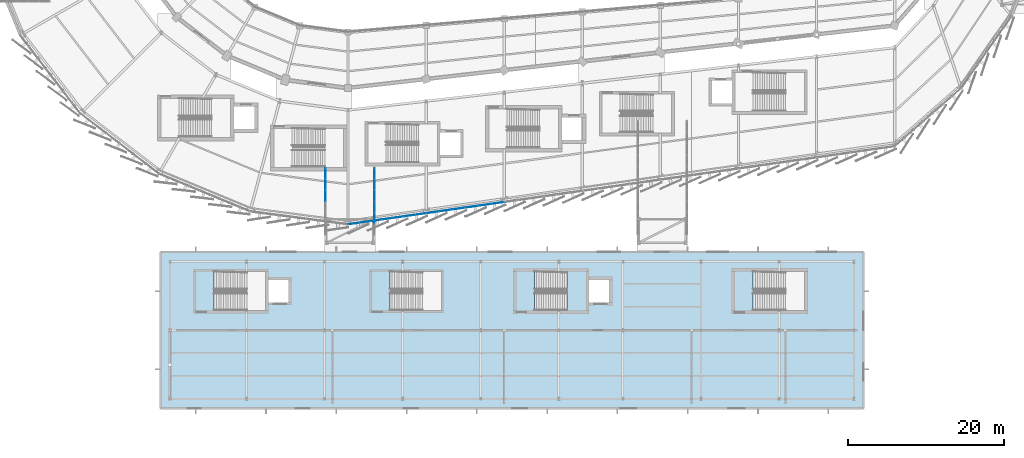
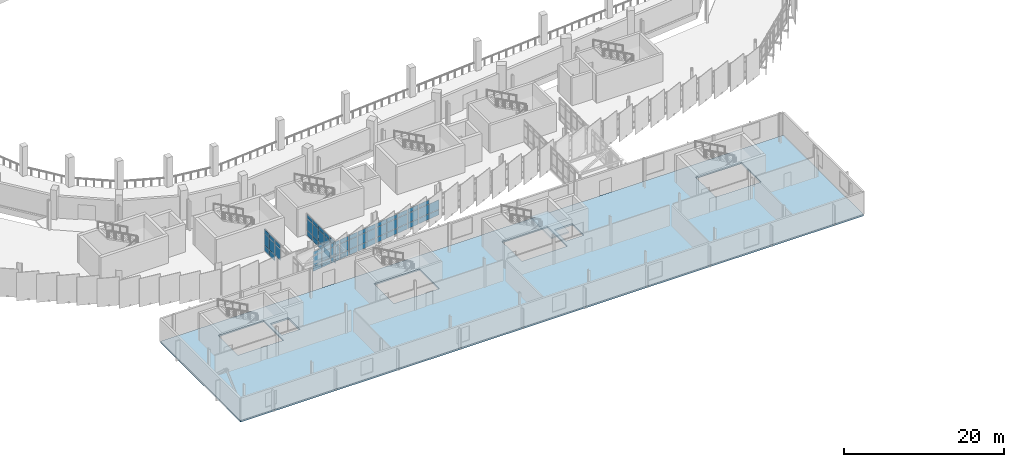
# One storey, part 83 of 125: 61 plates, 2 slabs, 5 elements without a shape of their own.
"""IFC4 building model written with IfcOpenShell, lengths in metres."""

from ifc_helpers import new_model, si_unit, direction, frame, origin, origin_2d, place, context, subcontext, project, spatial, polyline, rectangle, outline, extrude, material, layer, layer_set, type_object, element, aggregate, save


model = new_model("IFC4")

# Units and contexts
model_context = context("Model", 3, precision=1e-05, world=origin(), true_north=direction((0.0, 1.0)))
body_context = subcontext(model_context, "Body", "Model", "MODEL_VIEW")
ifc_project = project(units=[si_unit("LENGTHUNIT", "METRE"), si_unit("AREAUNIT", "SQUARE_METRE"), si_unit("VOLUMEUNIT", "CUBIC_METRE"), si_unit("PLANEANGLEUNIT", "RADIAN"), si_unit("MASSUNIT", "GRAM", prefix="KILO")], contexts=[model_context])

# Site, building, storey
site_placement = place(None, origin())
site = spatial("IfcSite", under=ifc_project, at=site_placement, CompositionType="ELEMENT")
building_placement = place(site_placement, origin())
building = spatial("IfcBuilding", under=site, at=building_placement, Name="Sohan Crest Arena", CompositionType="ELEMENT")
storey_placement = place(building_placement, frame((0.0, 0.0, 9.0)))
storey = spatial("IfcBuildingStorey", under=building, at=storey_placement, Name="L02", CompositionType="ELEMENT", Elevation=9.0)

# Curtain wall, plates
ifc_material_1 = material(Name="Thermally broken anodised aluminium", Category="aluminium")
ifc_layer_1 = layer(ifc_material_1, 0.179931640625, Name="Thermally broken anodised aluminium")
ifc_layer_set_1 = layer_set([ifc_layer_1], Name="Thermally broken anodised aluminium")
curtain_wall_type_1 = type_object("IfcCurtainWallType", Name="ARC-CW01", PredefinedType="NOTDEFINED", material=ifc_layer_set_1)
curtain_wall_1_placement = place(storey_placement, origin())
curtain_wall_1 = element("IfcCurtainWall", 1, at=curtain_wall_1_placement, inside=storey, type_object=curtain_wall_type_1, Name="Unitised curtain wall CW-060", PredefinedType="NOTDEFINED")
ifc_material_2 = material(Name="Low-E double-glazed insulated glass", Category="glass")
ifc_layer_2 = layer(ifc_material_2, 0.028076171875, Name="Low-E double-glazed insulated glass")
ifc_layer_set_2 = layer_set([ifc_layer_2], Name="Low-E double-glazed insulated glass")
plate_type_1 = type_object("IfcPlateType", Name="ARC-CNP01", PredefinedType="CURTAIN_PANEL", material=ifc_layer_set_2)
plate_1_placement = place(storey_placement, frame((98.729248046875, 29.654296875, 0.06005859375), z_axis=(0.0, 0.0, 1.0), x_axis=(0.989943553128, 0.141462933734, 0.0)))
plate_1 = element("IfcPlate", 2, at=plate_1_placement, type_object=plate_type_1, Name="CW-060 panel 1.1", PredefinedType="CURTAIN_PANEL", context=body_context, shape_type="SweptSolid", body=[
    extrude(rectangle(XDim=1.35302734375, YDim=0.028076171875, at=origin_2d()), origin(), (0.0, 0.0, 1.0), 0.81005859375),
])
plate_2_placement = place(storey_placement, frame((98.729248046875, 29.654296875, 0.929931640625), z_axis=(0.0, 0.0, 1.0), x_axis=(0.989943553128, 0.141462933734, 0.0)))
plate_2 = element("IfcPlate", 3, at=plate_2_placement, type_object=plate_type_1, Name="CW-060 panel 1.2", PredefinedType="CURTAIN_PANEL", context=body_context, shape_type="SweptSolid", body=[
    extrude(rectangle(XDim=1.35302734375, YDim=0.028076171875, at=origin_2d()), origin(), (0.0, 0.0, 1.0), 1.4599609375),
])
plate_3_placement = place(storey_placement, frame((98.729248046875, 29.654296875, 2.44970703125), z_axis=(0.0, 0.0, 1.0), x_axis=(0.989943553128, 0.141462933734, 0.0)))
plate_3 = element("IfcPlate", 4, at=plate_3_placement, type_object=plate_type_1, Name="CW-060 panel 1.3", PredefinedType="CURTAIN_PANEL", context=body_context, shape_type="SweptSolid", body=[
    extrude(rectangle(XDim=1.35302734375, YDim=0.028076171875, at=origin_2d()), origin(), (0.0, 0.0, 1.0), 0.610107421875),
])
plate_4_placement = place(storey_placement, frame((100.142822265625, 29.856201171875, 0.06005859375), z_axis=(0.0, 0.0, 1.0), x_axis=(0.989943553128, 0.141462933734, 0.0)))
plate_4 = element("IfcPlate", 5, at=plate_4_placement, type_object=plate_type_1, Name="CW-060 panel 2.1", PredefinedType="CURTAIN_PANEL", context=body_context, shape_type="SweptSolid", body=[
    extrude(rectangle(XDim=1.383056640625, YDim=0.028076171875, at=origin_2d()), origin(), (0.0, 0.0, 1.0), 0.81005859375),
])
plate_5_placement = place(storey_placement, frame((100.142822265625, 29.856201171875, 0.929931640625), z_axis=(0.0, 0.0, 1.0), x_axis=(0.989943553128, 0.141462933734, 0.0)))
plate_5 = element("IfcPlate", 6, at=plate_5_placement, type_object=plate_type_1, Name="CW-060 panel 2.2", PredefinedType="CURTAIN_PANEL", context=body_context, shape_type="SweptSolid", body=[
    extrude(rectangle(XDim=1.383056640625, YDim=0.028076171875, at=origin_2d()), origin(), (0.0, 0.0, 1.0), 1.4599609375),
])
plate_6_placement = place(storey_placement, frame((100.142822265625, 29.856201171875, 2.44970703125), z_axis=(0.0, 0.0, 1.0), x_axis=(0.989943553128, 0.141462933734, 0.0)))
plate_6 = element("IfcPlate", 7, at=plate_6_placement, type_object=plate_type_1, Name="CW-060 panel 2.3", PredefinedType="CURTAIN_PANEL", context=body_context, shape_type="SweptSolid", body=[
    extrude(rectangle(XDim=1.383056640625, YDim=0.028076171875, at=origin_2d()), origin(), (0.0, 0.0, 1.0), 0.610107421875),
])
plate_7_placement = place(storey_placement, frame((101.571533203125, 30.060302734375, 0.06005859375), z_axis=(0.0, 0.0, 1.0), x_axis=(0.989943553128, 0.141462933734, 0.0)))
plate_7 = element("IfcPlate", 8, at=plate_7_placement, type_object=plate_type_1, Name="CW-060 panel 3.1", PredefinedType="CURTAIN_PANEL", context=body_context, shape_type="SweptSolid", body=[
    extrude(rectangle(XDim=1.383056640625, YDim=0.028076171875, at=origin_2d()), origin(), (0.0, 0.0, 1.0), 0.81005859375),
])
plate_8_placement = place(storey_placement, frame((101.571533203125, 30.060302734375, 0.929931640625), z_axis=(0.0, 0.0, 1.0), x_axis=(0.989943553128, 0.141462933734, 0.0)))
plate_8 = element("IfcPlate", 9, at=plate_8_placement, type_object=plate_type_1, Name="CW-060 panel 3.2", PredefinedType="CURTAIN_PANEL", context=body_context, shape_type="SweptSolid", body=[
    extrude(rectangle(XDim=1.383056640625, YDim=0.028076171875, at=origin_2d()), origin(), (0.0, 0.0, 1.0), 1.4599609375),
])
plate_9_placement = place(storey_placement, frame((101.571533203125, 30.060302734375, 2.44970703125), z_axis=(0.0, 0.0, 1.0), x_axis=(0.989943553128, 0.141462933734, 0.0)))
plate_9 = element("IfcPlate", 10, at=plate_9_placement, type_object=plate_type_1, Name="CW-060 panel 3.3", PredefinedType="CURTAIN_PANEL", context=body_context, shape_type="SweptSolid", body=[
    extrude(rectangle(XDim=1.383056640625, YDim=0.028076171875, at=origin_2d()), origin(), (0.0, 0.0, 1.0), 0.610107421875),
])
plate_10_placement = place(storey_placement, frame((103.0, 30.264404296875, 0.06005859375), z_axis=(0.0, 0.0, 1.0), x_axis=(0.989943553128, 0.141462933734, 0.0)))
plate_10 = element("IfcPlate", 11, at=plate_10_placement, type_object=plate_type_1, Name="CW-060 panel 4.1", PredefinedType="CURTAIN_PANEL", context=body_context, shape_type="SweptSolid", body=[
    extrude(rectangle(XDim=1.383056640625, YDim=0.028076171875, at=origin_2d()), origin(), (0.0, 0.0, 1.0), 0.81005859375),
])
plate_11_placement = place(storey_placement, frame((103.0, 30.264404296875, 0.929931640625), z_axis=(0.0, 0.0, 1.0), x_axis=(0.989943553128, 0.141462933734, 0.0)))
plate_11 = element("IfcPlate", 12, at=plate_11_placement, type_object=plate_type_1, Name="CW-060 panel 4.2", PredefinedType="CURTAIN_PANEL", context=body_context, shape_type="SweptSolid", body=[
    extrude(rectangle(XDim=1.383056640625, YDim=0.028076171875, at=origin_2d()), origin(), (0.0, 0.0, 1.0), 1.4599609375),
])
plate_12_placement = place(storey_placement, frame((103.0, 30.264404296875, 2.44970703125), z_axis=(0.0, 0.0, 1.0), x_axis=(0.989943553128, 0.141462933734, 0.0)))
plate_12 = element("IfcPlate", 13, at=plate_12_placement, type_object=plate_type_1, Name="CW-060 panel 4.3", PredefinedType="CURTAIN_PANEL", context=body_context, shape_type="SweptSolid", body=[
    extrude(rectangle(XDim=1.383056640625, YDim=0.028076171875, at=origin_2d()), origin(), (0.0, 0.0, 1.0), 0.610107421875),
])
plate_13_placement = place(storey_placement, frame((104.428466796875, 30.46875, 0.06005859375), z_axis=(0.0, 0.0, 1.0), x_axis=(0.989943553128, 0.141462933734, 0.0)))
plate_13 = element("IfcPlate", 14, at=plate_13_placement, type_object=plate_type_1, Name="CW-060 panel 5.1", PredefinedType="CURTAIN_PANEL", context=body_context, shape_type="SweptSolid", body=[
    extrude(rectangle(XDim=1.383056640625, YDim=0.028076171875, at=origin_2d()), origin(), (0.0, 0.0, 1.0), 0.81005859375),
])
plate_14_placement = place(storey_placement, frame((104.428466796875, 30.46875, 0.929931640625), z_axis=(0.0, 0.0, 1.0), x_axis=(0.989943553128, 0.141462933734, 0.0)))
plate_14 = element("IfcPlate", 15, at=plate_14_placement, type_object=plate_type_1, Name="CW-060 panel 5.2", PredefinedType="CURTAIN_PANEL", context=body_context, shape_type="SweptSolid", body=[
    extrude(rectangle(XDim=1.383056640625, YDim=0.028076171875, at=origin_2d()), origin(), (0.0, 0.0, 1.0), 1.4599609375),
])
plate_15_placement = place(storey_placement, frame((104.428466796875, 30.46875, 2.44970703125), z_axis=(0.0, 0.0, 1.0), x_axis=(0.989943553128, 0.141462933734, 0.0)))
plate_15 = element("IfcPlate", 16, at=plate_15_placement, type_object=plate_type_1, Name="CW-060 panel 5.3", PredefinedType="CURTAIN_PANEL", context=body_context, shape_type="SweptSolid", body=[
    extrude(rectangle(XDim=1.383056640625, YDim=0.028076171875, at=origin_2d()), origin(), (0.0, 0.0, 1.0), 0.610107421875),
])
plate_16_placement = place(storey_placement, frame((105.857177734375, 30.6728515625, 0.06005859375), z_axis=(0.0, 0.0, 1.0), x_axis=(0.989943553128, 0.141462933734, 0.0)))
plate_16 = element("IfcPlate", 17, at=plate_16_placement, type_object=plate_type_1, Name="CW-060 panel 6.1", PredefinedType="CURTAIN_PANEL", context=body_context, shape_type="SweptSolid", body=[
    extrude(rectangle(XDim=1.383056640625, YDim=0.028076171875, at=origin_2d()), origin(), (0.0, 0.0, 1.0), 0.81005859375),
])
plate_17_placement = place(storey_placement, frame((105.857177734375, 30.6728515625, 0.929931640625), z_axis=(0.0, 0.0, 1.0), x_axis=(0.989943553128, 0.141462933734, 0.0)))
plate_17 = element("IfcPlate", 18, at=plate_17_placement, type_object=plate_type_1, Name="CW-060 panel 6.2", PredefinedType="CURTAIN_PANEL", context=body_context, shape_type="SweptSolid", body=[
    extrude(rectangle(XDim=1.383056640625, YDim=0.028076171875, at=origin_2d()), origin(), (0.0, 0.0, 1.0), 1.4599609375),
])
plate_18_placement = place(storey_placement, frame((105.857177734375, 30.6728515625, 2.44970703125), z_axis=(0.0, 0.0, 1.0), x_axis=(0.989943553128, 0.141462933734, 0.0)))
plate_18 = element("IfcPlate", 19, at=plate_18_placement, type_object=plate_type_1, Name="CW-060 panel 6.3", PredefinedType="CURTAIN_PANEL", context=body_context, shape_type="SweptSolid", body=[
    extrude(rectangle(XDim=1.383056640625, YDim=0.028076171875, at=origin_2d()), origin(), (0.0, 0.0, 1.0), 0.610107421875),
])
plate_19_placement = place(storey_placement, frame((107.270751953125, 30.874755859375, 0.06005859375), z_axis=(0.0, 0.0, 1.0), x_axis=(0.989943553128, 0.141462933734, 0.0)))
plate_19 = element("IfcPlate", 20, at=plate_19_placement, type_object=plate_type_1, Name="CW-060 panel 7.1", PredefinedType="CURTAIN_PANEL", context=body_context, shape_type="SweptSolid", body=[
    extrude(rectangle(XDim=1.35302734375, YDim=0.028076171875, at=origin_2d()), origin(), (0.0, 0.0, 1.0), 0.81005859375),
])
plate_20_placement = place(storey_placement, frame((107.270751953125, 30.874755859375, 0.929931640625), z_axis=(0.0, 0.0, 1.0), x_axis=(0.989943553128, 0.141462933734, 0.0)))
plate_20 = element("IfcPlate", 21, at=plate_20_placement, type_object=plate_type_1, Name="CW-060 panel 7.2", PredefinedType="CURTAIN_PANEL", context=body_context, shape_type="SweptSolid", body=[
    extrude(rectangle(XDim=1.35302734375, YDim=0.028076171875, at=origin_2d()), origin(), (0.0, 0.0, 1.0), 1.4599609375),
])
plate_21_placement = place(storey_placement, frame((107.270751953125, 30.874755859375, 2.44970703125), z_axis=(0.0, 0.0, 1.0), x_axis=(0.989943553128, 0.141462933734, 0.0)))
plate_21 = element("IfcPlate", 22, at=plate_21_placement, type_object=plate_type_1, Name="CW-060 panel 7.3", PredefinedType="CURTAIN_PANEL", context=body_context, shape_type="SweptSolid", body=[
    extrude(rectangle(XDim=1.35302734375, YDim=0.028076171875, at=origin_2d()), origin(), (0.0, 0.0, 1.0), 0.610107421875),
])
aggregate(curtain_wall_1, [plate_1, plate_2, plate_3, plate_4, plate_5, plate_6, plate_7, plate_8, plate_9, plate_10, plate_11, plate_12, plate_13, plate_14, plate_15, plate_16, plate_17, plate_18, plate_19, plate_20, plate_21])

ifc_layer_3 = layer(ifc_material_1, 0.18994140625, Name="Thermally broken anodised aluminium")
ifc_layer_set_3 = layer_set([ifc_layer_3], Name="Thermally broken anodised aluminium")
curtain_wall_type_2 = type_object("IfcCurtainWallType", Name="ARC-CW05", PredefinedType="NOTDEFINED", material=ifc_layer_set_3)
curtain_wall_2_placement = place(storey_placement, origin())
curtain_wall_2 = element("IfcCurtainWall", 23, at=curtain_wall_2_placement, inside=storey, type_object=curtain_wall_type_2, Name="Unitised curtain wall CW-251", PredefinedType="NOTDEFINED")
plate_22_placement = place(storey_placement, frame((95.1201171875, 33.216552734375, 0.93017578125), z_axis=(0.0, 0.0, 1.0), x_axis=(0.0, 1.0, 0.0)))
plate_22 = element("IfcPlate", 24, at=plate_22_placement, type_object=plate_type_1, Name="CW-251 panel 4.2", PredefinedType="CURTAIN_PANEL", context=body_context, shape_type="SweptSolid", body=[
    extrude(rectangle(XDim=1.368408203125, YDim=0.028076171875, at=origin_2d()), origin(), (0.0, 0.0, 1.0), 1.739990234375),
])
plate_23_placement = place(storey_placement, frame((95.1201171875, 33.216552734375, 2.72998046875), z_axis=(0.0, 0.0, 1.0), x_axis=(0.0, 1.0, 0.0)))
plate_23 = element("IfcPlate", 25, at=plate_23_placement, type_object=plate_type_1, Name="CW-251 panel 4.3", PredefinedType="CURTAIN_PANEL", context=body_context, shape_type="SweptSolid", body=[
    extrude(rectangle(XDim=1.368408203125, YDim=0.028076171875, at=origin_2d()), origin(), (0.0, 0.0, 1.0), 0.610107421875),
])
plate_24_placement = place(storey_placement, frame((95.1201171875, 34.64990234375, 0.06005859375), z_axis=(0.0, 0.0, 1.0), x_axis=(0.0, 1.0, 0.0)))
plate_24 = element("IfcPlate", 26, at=plate_24_placement, type_object=plate_type_1, Name="CW-251 panel 5.1", PredefinedType="CURTAIN_PANEL", context=body_context, shape_type="SweptSolid", body=[
    extrude(rectangle(XDim=1.368408203125, YDim=0.028076171875, at=origin_2d()), origin(), (0.0, 0.0, 1.0), 0.81005859375),
])
plate_25_placement = place(storey_placement, frame((95.1201171875, 34.64990234375, 0.93017578125), z_axis=(0.0, 0.0, 1.0), x_axis=(0.0, 1.0, 0.0)))
plate_25 = element("IfcPlate", 27, at=plate_25_placement, type_object=plate_type_1, Name="CW-251 panel 5.2", PredefinedType="CURTAIN_PANEL", context=body_context, shape_type="SweptSolid", body=[
    extrude(rectangle(XDim=1.368408203125, YDim=0.028076171875, at=origin_2d()), origin(), (0.0, 0.0, 1.0), 1.739990234375),
])
plate_26_placement = place(storey_placement, frame((95.1201171875, 34.64990234375, 2.72998046875), z_axis=(0.0, 0.0, 1.0), x_axis=(0.0, 1.0, 0.0)))
plate_26 = element("IfcPlate", 28, at=plate_26_placement, type_object=plate_type_1, Name="CW-251 panel 5.3", PredefinedType="CURTAIN_PANEL", context=body_context, shape_type="SweptSolid", body=[
    extrude(rectangle(XDim=1.368408203125, YDim=0.028076171875, at=origin_2d()), origin(), (0.0, 0.0, 1.0), 0.610107421875),
])
plate_27_placement = place(storey_placement, frame((95.1201171875, 36.067138671875, 0.06005859375), z_axis=(0.0, 0.0, 1.0), x_axis=(0.0, 1.0, 0.0)))
plate_27 = element("IfcPlate", 29, at=plate_27_placement, type_object=plate_type_1, Name="CW-251 panel 6.1", PredefinedType="CURTAIN_PANEL", context=body_context, shape_type="SweptSolid", body=[
    extrude(rectangle(XDim=1.3359375, YDim=0.028076171875, at=origin_2d()), origin(), (0.0, 0.0, 1.0), 0.81005859375),
])
plate_28_placement = place(storey_placement, frame((95.1201171875, 36.067138671875, 0.93017578125), z_axis=(0.0, 0.0, 1.0), x_axis=(0.0, 1.0, 0.0)))
plate_28 = element("IfcPlate", 30, at=plate_28_placement, type_object=plate_type_1, Name="CW-251 panel 6.2", PredefinedType="CURTAIN_PANEL", context=body_context, shape_type="SweptSolid", body=[
    extrude(rectangle(XDim=1.3359375, YDim=0.028076171875, at=origin_2d()), origin(), (0.0, 0.0, 1.0), 1.739990234375),
])
plate_29_placement = place(storey_placement, frame((95.1201171875, 36.067138671875, 2.72998046875), z_axis=(0.0, 0.0, 1.0), x_axis=(0.0, 1.0, 0.0)))
plate_29 = element("IfcPlate", 31, at=plate_29_placement, type_object=plate_type_1, Name="CW-251 panel 6.3", PredefinedType="CURTAIN_PANEL", context=body_context, shape_type="SweptSolid", body=[
    extrude(rectangle(XDim=1.3359375, YDim=0.028076171875, at=origin_2d()), origin(), (0.0, 0.0, 1.0), 0.610107421875),
])
aggregate(curtain_wall_2, [plate_22, plate_23, plate_24, plate_25, plate_26, plate_27, plate_28, plate_29])

curtain_wall_3_placement = place(storey_placement, origin())
curtain_wall_3 = element("IfcCurtainWall", 32, at=curtain_wall_3_placement, inside=storey, type_object=curtain_wall_type_2, Name="Unitised curtain wall CW-252", PredefinedType="NOTDEFINED")
plate_30_placement = place(storey_placement, frame((101.3798828125, 30.35009765625, 0.06005859375), z_axis=(0.0, 0.0, 1.0), x_axis=(0.0, 1.0, 0.0)))
plate_30 = element("IfcPlate", 33, at=plate_30_placement, type_object=plate_type_1, Name="CW-252 panel 2.1", PredefinedType="CURTAIN_PANEL", context=body_context, shape_type="SweptSolid", body=[
    extrude(rectangle(XDim=1.368408203125, YDim=0.028076171875, at=origin_2d()), origin(), (0.0, 0.0, 1.0), 0.81005859375),
])
plate_31_placement = place(storey_placement, frame((101.3798828125, 30.35009765625, 0.93017578125), z_axis=(0.0, 0.0, 1.0), x_axis=(0.0, 1.0, 0.0)))
plate_31 = element("IfcPlate", 34, at=plate_31_placement, type_object=plate_type_1, Name="CW-252 panel 2.2", PredefinedType="CURTAIN_PANEL", context=body_context, shape_type="SweptSolid", body=[
    extrude(rectangle(XDim=1.368408203125, YDim=0.028076171875, at=origin_2d()), origin(), (0.0, 0.0, 1.0), 1.739990234375),
])
plate_32_placement = place(storey_placement, frame((101.3798828125, 30.35009765625, 2.72998046875), z_axis=(0.0, 0.0, 1.0), x_axis=(0.0, 1.0, 0.0)))
plate_32 = element("IfcPlate", 35, at=plate_32_placement, type_object=plate_type_1, Name="CW-252 panel 2.3", PredefinedType="CURTAIN_PANEL", context=body_context, shape_type="SweptSolid", body=[
    extrude(rectangle(XDim=1.368408203125, YDim=0.028076171875, at=origin_2d()), origin(), (0.0, 0.0, 1.0), 0.610107421875),
])
plate_33_placement = place(storey_placement, frame((101.3798828125, 31.783447265625, 0.06005859375), z_axis=(0.0, 0.0, 1.0), x_axis=(0.0, 1.0, 0.0)))
plate_33 = element("IfcPlate", 36, at=plate_33_placement, type_object=plate_type_1, Name="CW-252 panel 3.1", PredefinedType="CURTAIN_PANEL", context=body_context, shape_type="SweptSolid", body=[
    extrude(rectangle(XDim=1.368408203125, YDim=0.028076171875, at=origin_2d()), origin(), (0.0, 0.0, 1.0), 0.81005859375),
])
plate_34_placement = place(storey_placement, frame((101.3798828125, 31.783447265625, 0.93017578125), z_axis=(0.0, 0.0, 1.0), x_axis=(0.0, 1.0, 0.0)))
plate_34 = element("IfcPlate", 37, at=plate_34_placement, type_object=plate_type_1, Name="CW-252 panel 3.2", PredefinedType="CURTAIN_PANEL", context=body_context, shape_type="SweptSolid", body=[
    extrude(rectangle(XDim=1.368408203125, YDim=0.028076171875, at=origin_2d()), origin(), (0.0, 0.0, 1.0), 1.739990234375),
])
plate_35_placement = place(storey_placement, frame((101.3798828125, 31.783447265625, 2.72998046875), z_axis=(0.0, 0.0, 1.0), x_axis=(0.0, 1.0, 0.0)))
plate_35 = element("IfcPlate", 38, at=plate_35_placement, type_object=plate_type_1, Name="CW-252 panel 3.3", PredefinedType="CURTAIN_PANEL", context=body_context, shape_type="SweptSolid", body=[
    extrude(rectangle(XDim=1.368408203125, YDim=0.028076171875, at=origin_2d()), origin(), (0.0, 0.0, 1.0), 0.610107421875),
])
plate_36_placement = place(storey_placement, frame((101.3798828125, 33.216552734375, 0.06005859375), z_axis=(0.0, 0.0, 1.0), x_axis=(0.0, 1.0, 0.0)))
plate_36 = element("IfcPlate", 39, at=plate_36_placement, type_object=plate_type_1, Name="CW-252 panel 4.1", PredefinedType="CURTAIN_PANEL", context=body_context, shape_type="SweptSolid", body=[
    extrude(rectangle(XDim=1.368408203125, YDim=0.028076171875, at=origin_2d()), origin(), (0.0, 0.0, 1.0), 0.81005859375),
])
plate_37_placement = place(storey_placement, frame((101.3798828125, 33.216552734375, 0.93017578125), z_axis=(0.0, 0.0, 1.0), x_axis=(0.0, 1.0, 0.0)))
plate_37 = element("IfcPlate", 40, at=plate_37_placement, type_object=plate_type_1, Name="CW-252 panel 4.2", PredefinedType="CURTAIN_PANEL", context=body_context, shape_type="SweptSolid", body=[
    extrude(rectangle(XDim=1.368408203125, YDim=0.028076171875, at=origin_2d()), origin(), (0.0, 0.0, 1.0), 1.739990234375),
])
plate_38_placement = place(storey_placement, frame((101.3798828125, 33.216552734375, 2.72998046875), z_axis=(0.0, 0.0, 1.0), x_axis=(0.0, 1.0, 0.0)))
plate_38 = element("IfcPlate", 41, at=plate_38_placement, type_object=plate_type_1, Name="CW-252 panel 4.3", PredefinedType="CURTAIN_PANEL", context=body_context, shape_type="SweptSolid", body=[
    extrude(rectangle(XDim=1.368408203125, YDim=0.028076171875, at=origin_2d()), origin(), (0.0, 0.0, 1.0), 0.610107421875),
])
plate_39_placement = place(storey_placement, frame((101.3798828125, 34.64990234375, 0.06005859375), z_axis=(0.0, 0.0, 1.0), x_axis=(0.0, 1.0, 0.0)))
plate_39 = element("IfcPlate", 42, at=plate_39_placement, type_object=plate_type_1, Name="CW-252 panel 5.1", PredefinedType="CURTAIN_PANEL", context=body_context, shape_type="SweptSolid", body=[
    extrude(rectangle(XDim=1.368408203125, YDim=0.028076171875, at=origin_2d()), origin(), (0.0, 0.0, 1.0), 0.81005859375),
])
plate_40_placement = place(storey_placement, frame((101.3798828125, 34.64990234375, 0.93017578125), z_axis=(0.0, 0.0, 1.0), x_axis=(0.0, 1.0, 0.0)))
plate_40 = element("IfcPlate", 43, at=plate_40_placement, type_object=plate_type_1, Name="CW-252 panel 5.2", PredefinedType="CURTAIN_PANEL", context=body_context, shape_type="SweptSolid", body=[
    extrude(rectangle(XDim=1.368408203125, YDim=0.028076171875, at=origin_2d()), origin(), (0.0, 0.0, 1.0), 1.739990234375),
])
plate_41_placement = place(storey_placement, frame((101.3798828125, 34.64990234375, 2.72998046875), z_axis=(0.0, 0.0, 1.0), x_axis=(0.0, 1.0, 0.0)))
plate_41 = element("IfcPlate", 44, at=plate_41_placement, type_object=plate_type_1, Name="CW-252 panel 5.3", PredefinedType="CURTAIN_PANEL", context=body_context, shape_type="SweptSolid", body=[
    extrude(rectangle(XDim=1.368408203125, YDim=0.028076171875, at=origin_2d()), origin(), (0.0, 0.0, 1.0), 0.610107421875),
])
plate_42_placement = place(storey_placement, frame((101.3798828125, 36.067138671875, 0.06005859375), z_axis=(0.0, 0.0, 1.0), x_axis=(0.0, 1.0, 0.0)))
plate_42 = element("IfcPlate", 45, at=plate_42_placement, type_object=plate_type_1, Name="CW-252 panel 6.1", PredefinedType="CURTAIN_PANEL", context=body_context, shape_type="SweptSolid", body=[
    extrude(rectangle(XDim=1.3359375, YDim=0.028076171875, at=origin_2d()), origin(), (0.0, 0.0, 1.0), 0.81005859375),
])
plate_43_placement = place(storey_placement, frame((101.3798828125, 36.067138671875, 0.93017578125), z_axis=(0.0, 0.0, 1.0), x_axis=(0.0, 1.0, 0.0)))
plate_43 = element("IfcPlate", 46, at=plate_43_placement, type_object=plate_type_1, Name="CW-252 panel 6.2", PredefinedType="CURTAIN_PANEL", context=body_context, shape_type="SweptSolid", body=[
    extrude(rectangle(XDim=1.3359375, YDim=0.028076171875, at=origin_2d()), origin(), (0.0, 0.0, 1.0), 1.739990234375),
])
plate_44_placement = place(storey_placement, frame((101.3798828125, 36.067138671875, 2.72998046875), z_axis=(0.0, 0.0, 1.0), x_axis=(0.0, 1.0, 0.0)))
plate_44 = element("IfcPlate", 47, at=plate_44_placement, type_object=plate_type_1, Name="CW-252 panel 6.3", PredefinedType="CURTAIN_PANEL", context=body_context, shape_type="SweptSolid", body=[
    extrude(rectangle(XDim=1.3359375, YDim=0.028076171875, at=origin_2d()), origin(), (0.0, 0.0, 1.0), 0.610107421875),
])
aggregate(curtain_wall_3, [plate_30, plate_31, plate_32, plate_33, plate_34, plate_35, plate_36, plate_37, plate_38, plate_39, plate_40, plate_41, plate_42, plate_43, plate_44])

ifc_layer_4 = layer(ifc_material_1, 0.199951171875, Name="Thermally broken anodised aluminium")
ifc_layer_set_4 = layer_set([ifc_layer_4], Name="Thermally broken anodised aluminium")
curtain_wall_type_3 = type_object("IfcCurtainWallType", Name="ARC-CW02", PredefinedType="NOTDEFINED", material=ifc_layer_set_4)
curtain_wall_4_placement = place(storey_placement, origin())
curtain_wall_4 = element("IfcCurtainWall", 48, at=curtain_wall_4_placement, inside=storey, type_object=curtain_wall_type_3, Name="Unitised curtain wall CW-061", PredefinedType="NOTDEFINED")
ifc_layer_5 = layer(ifc_material_2, 0.031982421875, Name="Low-E double-glazed insulated glass")
ifc_layer_set_5 = layer_set([ifc_layer_5], Name="Low-E double-glazed insulated glass")
plate_type_2 = type_object("IfcPlateType", Name="ARC-CNP02", PredefinedType="CURTAIN_PANEL", material=ifc_layer_set_5)
plate_45_placement = place(storey_placement, frame((108.849365234375, 31.100341796875, 0.06494140625), z_axis=(0.0, 0.0, 1.0), x_axis=(0.989957411768, 0.141365918403, 0.0)))
plate_45 = element("IfcPlate", 49, at=plate_45_placement, type_object=plate_type_2, Name="CW-061 panel 1.1", PredefinedType="CURTAIN_PANEL", context=body_context, shape_type="SweptSolid", body=[
    extrude(rectangle(XDim=1.586181640625, YDim=0.031982421875, at=origin_2d()), origin(), (0.0, 0.0, 1.0), 0.802490234375),
])
plate_46_placement = place(storey_placement, frame((108.849365234375, 31.100341796875, 0.932373046875), z_axis=(0.0, 0.0, 1.0), x_axis=(0.989957411768, 0.141365918403, 0.0)))
plate_46 = element("IfcPlate", 50, at=plate_46_placement, type_object=plate_type_2, Name="CW-061 panel 1.2", PredefinedType="CURTAIN_PANEL", context=body_context, shape_type="SweptSolid", body=[
    extrude(rectangle(XDim=1.586181640625, YDim=0.031982421875, at=origin_2d()), origin(), (0.0, 0.0, 1.0), 1.455078125),
])
plate_47_placement = place(storey_placement, frame((108.849365234375, 31.100341796875, 2.452392578125), z_axis=(0.0, 0.0, 1.0), x_axis=(0.989957411768, 0.141365918403, 0.0)))
plate_47 = element("IfcPlate", 51, at=plate_47_placement, type_object=plate_type_2, Name="CW-061 panel 1.3", PredefinedType="CURTAIN_PANEL", context=body_context, shape_type="SweptSolid", body=[
    extrude(rectangle(XDim=1.586181640625, YDim=0.031982421875, at=origin_2d()), origin(), (0.0, 0.0, 1.0), 0.6025390625),
])
plate_48_placement = place(storey_placement, frame((110.5, 31.3359375, 0.06494140625), z_axis=(0.0, 0.0, 1.0), x_axis=(0.989957411768, 0.141365918403, 0.0)))
plate_48 = element("IfcPlate", 52, at=plate_48_placement, type_object=plate_type_2, Name="CW-061 panel 2.1", PredefinedType="CURTAIN_PANEL", context=body_context, shape_type="SweptSolid", body=[
    extrude(rectangle(XDim=1.61865234375, YDim=0.031982421875, at=origin_2d()), origin(), (0.0, 0.0, 1.0), 0.802490234375),
])
plate_49_placement = place(storey_placement, frame((110.5, 31.3359375, 0.932373046875), z_axis=(0.0, 0.0, 1.0), x_axis=(0.989957411768, 0.141365918403, 0.0)))
plate_49 = element("IfcPlate", 53, at=plate_49_placement, type_object=plate_type_2, Name="CW-061 panel 2.2", PredefinedType="CURTAIN_PANEL", context=body_context, shape_type="SweptSolid", body=[
    extrude(rectangle(XDim=1.61865234375, YDim=0.031982421875, at=origin_2d()), origin(), (0.0, 0.0, 1.0), 1.455078125),
])
plate_50_placement = place(storey_placement, frame((110.5, 31.3359375, 2.452392578125), z_axis=(0.0, 0.0, 1.0), x_axis=(0.989957411768, 0.141365918403, 0.0)))
plate_50 = element("IfcPlate", 54, at=plate_50_placement, type_object=plate_type_2, Name="CW-061 panel 2.3", PredefinedType="CURTAIN_PANEL", context=body_context, shape_type="SweptSolid", body=[
    extrude(rectangle(XDim=1.61865234375, YDim=0.031982421875, at=origin_2d()), origin(), (0.0, 0.0, 1.0), 0.6025390625),
])
plate_51_placement = place(storey_placement, frame((112.166748046875, 31.573974609375, 0.06494140625), z_axis=(0.0, 0.0, 1.0), x_axis=(0.989957411768, 0.141365918403, 0.0)))
plate_51 = element("IfcPlate", 55, at=plate_51_placement, type_object=plate_type_2, Name="CW-061 panel 3.1", PredefinedType="CURTAIN_PANEL", context=body_context, shape_type="SweptSolid", body=[
    extrude(rectangle(XDim=1.61865234375, YDim=0.031982421875, at=origin_2d()), origin(), (0.0, 0.0, 1.0), 0.802490234375),
])
plate_52_placement = place(storey_placement, frame((112.166748046875, 31.573974609375, 0.932373046875), z_axis=(0.0, 0.0, 1.0), x_axis=(0.989957411768, 0.141365918403, 0.0)))
plate_52 = element("IfcPlate", 56, at=plate_52_placement, type_object=plate_type_2, Name="CW-061 panel 3.2", PredefinedType="CURTAIN_PANEL", context=body_context, shape_type="SweptSolid", body=[
    extrude(rectangle(XDim=1.61865234375, YDim=0.031982421875, at=origin_2d()), origin(), (0.0, 0.0, 1.0), 1.455078125),
])
plate_53_placement = place(storey_placement, frame((112.166748046875, 31.573974609375, 2.452392578125), z_axis=(0.0, 0.0, 1.0), x_axis=(0.989957411768, 0.141365918403, 0.0)))
plate_53 = element("IfcPlate", 57, at=plate_53_placement, type_object=plate_type_2, Name="CW-061 panel 3.3", PredefinedType="CURTAIN_PANEL", context=body_context, shape_type="SweptSolid", body=[
    extrude(rectangle(XDim=1.61865234375, YDim=0.031982421875, at=origin_2d()), origin(), (0.0, 0.0, 1.0), 0.6025390625),
])
plate_54_placement = place(storey_placement, frame((113.833251953125, 31.81201171875, 0.06494140625), z_axis=(0.0, 0.0, 1.0), x_axis=(0.989957411768, 0.141365918403, 0.0)))
plate_54 = element("IfcPlate", 58, at=plate_54_placement, type_object=plate_type_2, Name="CW-061 panel 4.1", PredefinedType="CURTAIN_PANEL", context=body_context, shape_type="SweptSolid", body=[
    extrude(rectangle(XDim=1.61865234375, YDim=0.031982421875, at=origin_2d()), origin(), (0.0, 0.0, 1.0), 0.802490234375),
])
plate_55_placement = place(storey_placement, frame((113.833251953125, 31.81201171875, 0.932373046875), z_axis=(0.0, 0.0, 1.0), x_axis=(0.989957411768, 0.141365918403, 0.0)))
plate_55 = element("IfcPlate", 59, at=plate_55_placement, type_object=plate_type_2, Name="CW-061 panel 4.2", PredefinedType="CURTAIN_PANEL", context=body_context, shape_type="SweptSolid", body=[
    extrude(rectangle(XDim=1.61865234375, YDim=0.031982421875, at=origin_2d()), origin(), (0.0, 0.0, 1.0), 1.455078125),
])
plate_56_placement = place(storey_placement, frame((113.833251953125, 31.81201171875, 2.452392578125), z_axis=(0.0, 0.0, 1.0), x_axis=(0.989957411768, 0.141365918403, 0.0)))
plate_56 = element("IfcPlate", 60, at=plate_56_placement, type_object=plate_type_2, Name="CW-061 panel 4.3", PredefinedType="CURTAIN_PANEL", context=body_context, shape_type="SweptSolid", body=[
    extrude(rectangle(XDim=1.61865234375, YDim=0.031982421875, at=origin_2d()), origin(), (0.0, 0.0, 1.0), 0.6025390625),
])
plate_57_placement = place(storey_placement, frame((115.5, 32.050048828125, 0.06494140625), z_axis=(0.0, 0.0, 1.0), x_axis=(0.989957411768, 0.141365918403, 0.0)))
plate_57 = element("IfcPlate", 61, at=plate_57_placement, type_object=plate_type_2, Name="CW-061 panel 5.1", PredefinedType="CURTAIN_PANEL", context=body_context, shape_type="SweptSolid", body=[
    extrude(rectangle(XDim=1.61865234375, YDim=0.031982421875, at=origin_2d()), origin(), (0.0, 0.0, 1.0), 0.802490234375),
])
plate_58_placement = place(storey_placement, frame((115.5, 32.050048828125, 0.932373046875), z_axis=(0.0, 0.0, 1.0), x_axis=(0.989957411768, 0.141365918403, 0.0)))
plate_58 = element("IfcPlate", 62, at=plate_58_placement, type_object=plate_type_2, Name="CW-061 panel 5.2", PredefinedType="CURTAIN_PANEL", context=body_context, shape_type="SweptSolid", body=[
    extrude(rectangle(XDim=1.61865234375, YDim=0.031982421875, at=origin_2d()), origin(), (0.0, 0.0, 1.0), 1.455078125),
])
plate_59_placement = place(storey_placement, frame((115.5, 32.050048828125, 2.452392578125), z_axis=(0.0, 0.0, 1.0), x_axis=(0.989957411768, 0.141365918403, 0.0)))
plate_59 = element("IfcPlate", 63, at=plate_59_placement, type_object=plate_type_2, Name="CW-061 panel 5.3", PredefinedType="CURTAIN_PANEL", context=body_context, shape_type="SweptSolid", body=[
    extrude(rectangle(XDim=1.61865234375, YDim=0.031982421875, at=origin_2d()), origin(), (0.0, 0.0, 1.0), 0.6025390625),
])
plate_60_placement = place(storey_placement, frame((117.150634765625, 32.28564453125, 0.06494140625), z_axis=(0.0, 0.0, 1.0), x_axis=(0.989957411768, 0.141365918403, 0.0)))
plate_60 = element("IfcPlate", 64, at=plate_60_placement, type_object=plate_type_2, Name="CW-061 panel 6.1", PredefinedType="CURTAIN_PANEL", context=body_context, shape_type="SweptSolid", body=[
    extrude(rectangle(XDim=1.586181640625, YDim=0.031982421875, at=origin_2d()), origin(), (0.0, 0.0, 1.0), 0.802490234375),
])
plate_61_placement = place(storey_placement, frame((117.150634765625, 32.28564453125, 0.932373046875), z_axis=(0.0, 0.0, 1.0), x_axis=(0.989957411768, 0.141365918403, 0.0)))
plate_61 = element("IfcPlate", 65, at=plate_61_placement, type_object=plate_type_2, Name="CW-061 panel 6.2", PredefinedType="CURTAIN_PANEL", context=body_context, shape_type="SweptSolid", body=[
    extrude(rectangle(XDim=1.586181640625, YDim=0.031982421875, at=origin_2d()), origin(), (0.0, 0.0, 1.0), 1.455078125),
])
aggregate(curtain_wall_4, [plate_45, plate_46, plate_47, plate_48, plate_49, plate_50, plate_51, plate_52, plate_53, plate_54, plate_55, plate_56, plate_57, plate_58, plate_59, plate_60, plate_61])

# Slab
ifc_material_3 = material(Name="Concrete C40/50", Category="concrete")
ifc_layer_6 = layer(ifc_material_3, 0.25, Name="Concrete C40/50")
ifc_layer_set_6 = layer_set([ifc_layer_6], Name="Concrete C40/50")
slab_type_1 = type_object("IfcSlabType", Name="SL-FLR3", PredefinedType="FLOOR", material=ifc_layer_set_6)
slab_1_placement = place(storey_placement, frame((0.0, 0.0, -0.25)))
element("IfcSlab", 66, at=slab_1_placement, inside=storey, type_object=slab_type_1, Name="BOH wing L02 floor slab SL-L02-V5", PredefinedType="FLOOR", context=body_context, shape_type="SweptSolid", body=[
    extrude(outline(polyline([(164.0, 26.0), (164.0, 6.0), (74.0, 6.0), (74.0, 26.0), (164.0, 26.0)]), holes=[polyline([(149.8701171875, 23.5), (149.8701171875, 18.5), (156.449951171875, 18.5), (156.449951171875, 23.5), (149.8701171875, 23.5)]), polyline([(109.949951171875, 23.5), (103.3701171875, 23.5), (103.3701171875, 18.5), (109.949951171875, 18.5), (109.949951171875, 23.5)]), polyline([(87.449951171875, 18.5), (87.449951171875, 23.5), (80.8701171875, 23.5), (80.8701171875, 18.5), (87.449951171875, 18.5)]), polyline([(87.800048828125, 19.550048828125), (90.39990234375, 19.550048828125), (90.39990234375, 22.449951171875), (87.800048828125, 22.449951171875), (87.800048828125, 19.550048828125)]), polyline([(121.8701171875, 23.5), (121.8701171875, 18.5), (128.449951171875, 18.5), (128.449951171875, 23.5), (121.8701171875, 23.5)]), polyline([(131.449951171875, 22.449951171875), (128.85009765625, 22.449951171875), (128.85009765625, 19.550048828125), (131.449951171875, 19.550048828125), (131.449951171875, 22.449951171875)])]), origin(), (0.0, 0.0, 1.0), 0.25),
])

# Stair, slab
stair_type = type_object("IfcStairType", Name="ST-450W", PredefinedType="TWO_STRAIGHT_RUN_STAIR", material=ifc_material_3)
stair_placement = place(storey_placement, origin())
stair = element("IfcStair", 67, at=stair_placement, inside=storey, type_object=stair_type, Name="Protected exit stair ST18-L02", PredefinedType="TWO_STRAIGHT_RUN_STAIR")
ifc_layer_7 = layer(ifc_material_3, 0.199951171875, Name="Concrete C40/50")
ifc_layer_set_7 = layer_set([ifc_layer_7], Name="Concrete C40/50")
slab_type_2 = type_object("IfcSlabType", Name="SL-LND1", PredefinedType="LANDING", material=ifc_layer_set_7)
slab_2_placement = place(storey_placement, frame((0.0, 0.0, 2.050048828125)))
slab_2 = element("IfcSlab", 68, at=slab_2_placement, type_object=slab_type_2, Name="ST18-L02 landing 1", PredefinedType="LANDING", context=body_context, shape_type="SweptSolid", body=[
    extrude(outline(polyline([(126.030029296875, 18.35009765625), (128.60009765625, 18.35009765625), (128.60009765625, 23.64990234375), (126.030029296875, 23.64990234375), (126.030029296875, 18.35009765625)])), origin(), (0.0, 0.0, 1.0), 0.199951171875),
])
aggregate(stair, [slab_2])

save(model, "model.ifc")
